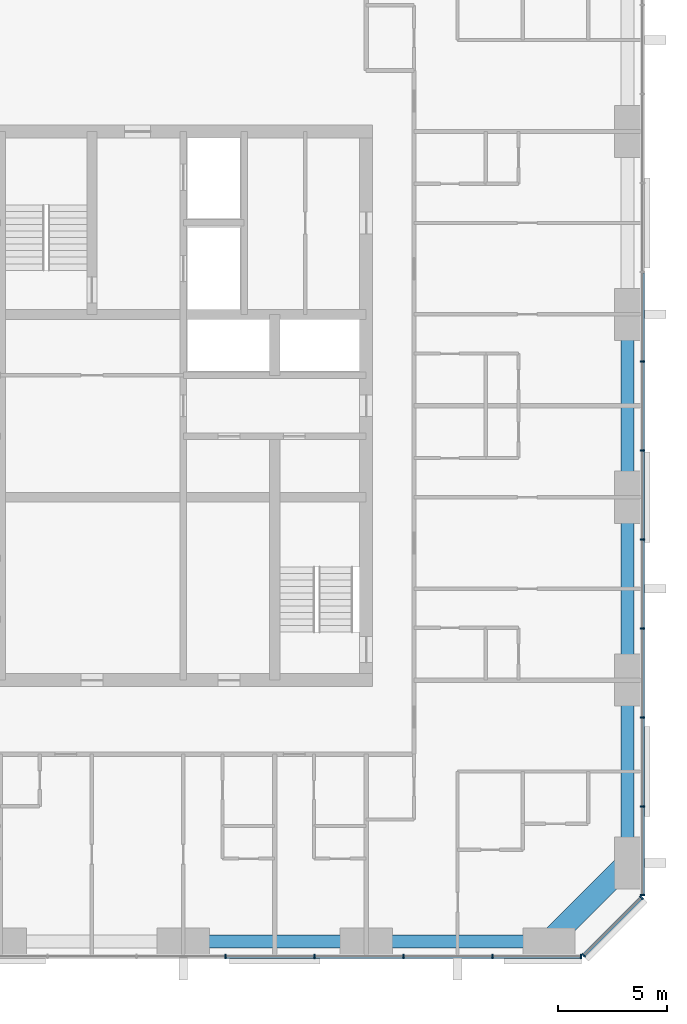
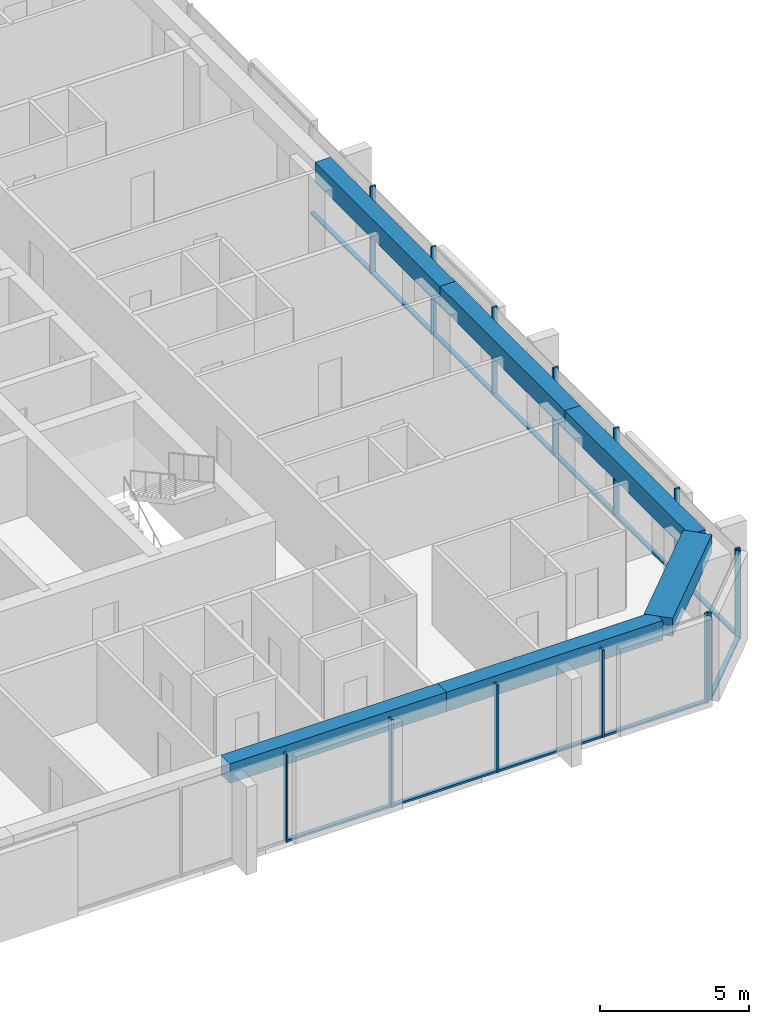
# One storey, part 4 of 14: 26 members, 6 beams, 3 elements without a shape of their own.
"""IFC4 building model written with IfcOpenShell, lengths in metres."""

from ifc_helpers import new_model, si_unit, direction, frame, origin, origin_2d, place, context, subcontext, project, spatial, rectangle, extrude, material, material_profile, profile_set, type_object, element, aggregate, save


model = new_model("IFC4")

# Units and contexts
model_context = context("Model", 3, precision=1e-05, world=origin(), true_north=direction((0.0, 1.0)))
body_context = subcontext(model_context, "Body", "Model", "MODEL_VIEW")
ifc_project = project(units=[si_unit("LENGTHUNIT", "METRE"), si_unit("AREAUNIT", "SQUARE_METRE"), si_unit("VOLUMEUNIT", "CUBIC_METRE"), si_unit("PLANEANGLEUNIT", "RADIAN"), si_unit("MASSUNIT", "GRAM", prefix="KILO")], contexts=[model_context])

# Site, building, storey
site_placement = place(None, origin())
site = spatial("IfcSite", under=ifc_project, at=site_placement, CompositionType="ELEMENT")
building_placement = place(site_placement, origin())
building = spatial("IfcBuilding", under=site, at=building_placement, Name="Dunama Terrace Hotel", CompositionType="ELEMENT")
storey_placement = place(building_placement, frame((0.0, 0.0, 202.199951171875)))
storey = spatial("IfcBuildingStorey", under=building, at=storey_placement, Name="L52", CompositionType="ELEMENT", Elevation=202.199951171875)

# Curtain wall, members
ifc_material_1 = material(Name="Aluminium curtain wall system", Category="aluminium")
curtain_wall_type = type_object("IfcCurtainWallType", Name="Unitised fritted glass wall CW-C", PredefinedType="NOTDEFINED", material=ifc_material_1)
curtain_wall_1_placement = place(storey_placement, origin())
curtain_wall_1 = element("IfcCurtainWall", 1, at=curtain_wall_1_placement, inside=storey, type_object=curtain_wall_type, Name="Unitised fritted glass wall CW-C L52", PredefinedType="NOTDEFINED")
ifc_material_2 = material(Name="Aluminium mullion", Category="aluminium")
ifc_material_profile_1 = material_profile(ifc_material_2, rectangle(XDim=0.070068359375, YDim=0.199951171875, at=origin_2d()), Name="CWC MULLION 70X200")
ifc_profile_set_1 = profile_set([ifc_material_profile_1], Name="Aluminium mullion")
member_type_1 = type_object("IfcMemberType", Name="CWC mullion 70x200", PredefinedType="MULLION", material=ifc_profile_set_1)
member_1_placement = place(storey_placement, frame((35.535888671875, 4.10009765625, 0.0), z_axis=(0.0, 0.0, 1.0), x_axis=(1.0, 0.0, 0.0)))
member_1 = element("IfcMember", 2, at=member_1_placement, type_object=member_type_1, Name="CWC mullion", PredefinedType="MULLION", context=body_context, shape_type="SweptSolid", body=[
    extrude(rectangle(XDim=0.070068359375, YDim=0.199951171875, at=origin_2d()), origin(), (0.0, 0.0, 1.0), 3.60009765625),
])
member_2_placement = place(storey_placement, frame((39.626953125, 4.10009765625, 0.0), z_axis=(0.0, 0.0, 1.0), x_axis=(1.0, 0.0, 0.0)))
member_2 = element("IfcMember", 3, at=member_2_placement, type_object=member_type_1, Name="CWC mullion", PredefinedType="MULLION", context=body_context, shape_type="SweptSolid", body=[
    extrude(rectangle(XDim=0.070068359375, YDim=0.199951171875, at=origin_2d()), origin(), (0.0, 0.0, 1.0), 3.60009765625),
])
member_3_placement = place(storey_placement, frame((43.718017578125, 4.10009765625, 0.0), z_axis=(0.0, 0.0, 1.0), x_axis=(1.0, 0.0, 0.0)))
member_3 = element("IfcMember", 4, at=member_3_placement, type_object=member_type_1, Name="CWC mullion", PredefinedType="MULLION", context=body_context, shape_type="SweptSolid", body=[
    extrude(rectangle(XDim=0.070068359375, YDim=0.199951171875, at=origin_2d()), origin(), (0.0, 0.0, 1.0), 3.60009765625),
])
member_4_placement = place(storey_placement, frame((47.80908203125, 4.10009765625, 0.0), z_axis=(0.0, 0.0, 1.0), x_axis=(1.0, 0.0, 0.0)))
member_4 = element("IfcMember", 5, at=member_4_placement, type_object=member_type_1, Name="CWC mullion", PredefinedType="MULLION", context=body_context, shape_type="SweptSolid", body=[
    extrude(rectangle(XDim=0.070068359375, YDim=0.199951171875, at=origin_2d()), origin(), (0.0, 0.0, 1.0), 3.60009765625),
])
member_5_placement = place(storey_placement, frame((51.864990234375, 4.10009765625, 0.0), z_axis=(0.0, 0.0, 1.0), x_axis=(1.0, 0.0, 0.0)))
member_5 = element("IfcMember", 6, at=member_5_placement, type_object=member_type_1, Name="CWC mullion", PredefinedType="MULLION", context=body_context, shape_type="SweptSolid", body=[
    extrude(rectangle(XDim=0.070068359375, YDim=0.199951171875, at=origin_2d()), origin(), (0.0, 0.0, 1.0), 3.60009765625),
])

curtain_wall_2_placement = place(storey_placement, origin())
curtain_wall_2 = element("IfcCurtainWall", 7, at=curtain_wall_2_placement, inside=storey, type_object=curtain_wall_type, Name="Unitised fritted glass wall CW-C L52", PredefinedType="NOTDEFINED")
member_6_placement = place(storey_placement, frame((51.9951171875, 4.154052734375, 0.0), z_axis=(0.0, 0.0, 1.0), x_axis=(0.707106781187, 0.707106781187, 0.0)))
member_6 = element("IfcMember", 8, at=member_6_placement, type_object=member_type_1, Name="CWC mullion", PredefinedType="MULLION", context=body_context, shape_type="SweptSolid", body=[
    extrude(rectangle(XDim=0.070068359375, YDim=0.199951171875, at=origin_2d()), origin(), (0.0, 0.0, 1.0), 3.60009765625),
])
member_7_placement = place(storey_placement, frame((54.64599609375, 6.804931640625, 0.0), z_axis=(0.0, 0.0, 1.0), x_axis=(0.707106781187, 0.707106781187, 0.0)))
member_7 = element("IfcMember", 9, at=member_7_placement, type_object=member_type_1, Name="CWC mullion", PredefinedType="MULLION", context=body_context, shape_type="SweptSolid", body=[
    extrude(rectangle(XDim=0.070068359375, YDim=0.199951171875, at=origin_2d()), origin(), (0.0, 0.0, 1.0), 3.60009765625),
])

curtain_wall_3_placement = place(storey_placement, origin())
curtain_wall_3 = element("IfcCurtainWall", 10, at=curtain_wall_3_placement, inside=storey, type_object=curtain_wall_type, Name="Unitised fritted glass wall CW-C L52", PredefinedType="NOTDEFINED")
member_8_placement = place(storey_placement, frame((54.699951171875, 6.93505859375, 0.0), z_axis=(0.0, 0.0, 1.0), x_axis=(0.0, 1.0, 0.0)))
member_8 = element("IfcMember", 11, at=member_8_placement, type_object=member_type_1, Name="CWC mullion", PredefinedType="MULLION", context=body_context, shape_type="SweptSolid", body=[
    extrude(rectangle(XDim=0.070068359375, YDim=0.199951171875, at=origin_2d()), origin(), (0.0, 0.0, 1.0), 3.60009765625),
])
member_9_placement = place(storey_placement, frame((54.699951171875, 10.990966796875, 0.0), z_axis=(0.0, 0.0, 1.0), x_axis=(0.0, 1.0, 0.0)))
member_9 = element("IfcMember", 12, at=member_9_placement, type_object=member_type_1, Name="CWC mullion", PredefinedType="MULLION", context=body_context, shape_type="SweptSolid", body=[
    extrude(rectangle(XDim=0.070068359375, YDim=0.199951171875, at=origin_2d()), origin(), (0.0, 0.0, 1.0), 3.60009765625),
])
member_10_placement = place(storey_placement, frame((54.699951171875, 15.08203125, 0.0), z_axis=(0.0, 0.0, 1.0), x_axis=(0.0, 1.0, 0.0)))
member_10 = element("IfcMember", 13, at=member_10_placement, type_object=member_type_1, Name="CWC mullion", PredefinedType="MULLION", context=body_context, shape_type="SweptSolid", body=[
    extrude(rectangle(XDim=0.070068359375, YDim=0.199951171875, at=origin_2d()), origin(), (0.0, 0.0, 1.0), 3.60009765625),
])
member_11_placement = place(storey_placement, frame((54.699951171875, 19.173095703125, 0.0), z_axis=(0.0, 0.0, 1.0), x_axis=(0.0, 1.0, 0.0)))
member_11 = element("IfcMember", 14, at=member_11_placement, type_object=member_type_1, Name="CWC mullion", PredefinedType="MULLION", context=body_context, shape_type="SweptSolid", body=[
    extrude(rectangle(XDim=0.070068359375, YDim=0.199951171875, at=origin_2d()), origin(), (0.0, 0.0, 1.0), 3.60009765625),
])
member_12_placement = place(storey_placement, frame((54.699951171875, 23.263916015625, 0.0), z_axis=(0.0, 0.0, 1.0), x_axis=(0.0, 1.0, 0.0)))
member_12 = element("IfcMember", 15, at=member_12_placement, type_object=member_type_1, Name="CWC mullion", PredefinedType="MULLION", context=body_context, shape_type="SweptSolid", body=[
    extrude(rectangle(XDim=0.070068359375, YDim=0.199951171875, at=origin_2d()), origin(), (0.0, 0.0, 1.0), 3.60009765625),
])
member_13_placement = place(storey_placement, frame((54.699951171875, 27.35498046875, 0.0), z_axis=(0.0, 0.0, 1.0), x_axis=(0.0, 1.0, 0.0)))
member_13 = element("IfcMember", 16, at=member_13_placement, type_object=member_type_1, Name="CWC mullion", PredefinedType="MULLION", context=body_context, shape_type="SweptSolid", body=[
    extrude(rectangle(XDim=0.070068359375, YDim=0.199951171875, at=origin_2d()), origin(), (0.0, 0.0, 1.0), 3.60009765625),
])
member_14_placement = place(storey_placement, frame((54.699951171875, 31.445068359375, 0.0), z_axis=(0.0, 0.0, 1.0), x_axis=(0.0, 1.0, 0.0)))
member_14 = element("IfcMember", 17, at=member_14_placement, type_object=member_type_1, Name="CWC mullion", PredefinedType="MULLION", context=body_context, shape_type="SweptSolid", body=[
    extrude(rectangle(XDim=0.070068359375, YDim=0.199951171875, at=origin_2d()), origin(), (0.0, 0.0, 1.0), 3.60009765625),
])

# Member
ifc_material_3 = material(Name="Aluminium transom", Category="aluminium")
ifc_material_profile_2 = material_profile(ifc_material_3, rectangle(XDim=0.159912109375, YDim=0.080078125, at=origin_2d()), Name="CWC TRANSOM 160X80")
ifc_profile_set_2 = profile_set([ifc_material_profile_2], Name="Aluminium transom")
member_type_2 = type_object("IfcMemberType", Name="CWC transom 160x80", PredefinedType="USERDEFINED", material=ifc_profile_set_2)
member_15_placement = place(storey_placement, frame((35.571044921875, 4.10009765625, 0.0400390625), z_axis=(1.0, 0.0, 0.0), x_axis=(0.0, 1.0, 0.0)))
member_15 = element("IfcMember", 18, at=member_15_placement, type_object=member_type_2, Name="CWC transom", ObjectType="TRANSOM", PredefinedType="USERDEFINED", context=body_context, shape_type="SweptSolid", body=[
    extrude(rectangle(XDim=0.159912109375, YDim=0.080078125, at=origin_2d()), origin(), (0.0, 0.0, 1.0), 4.02099609375),
])

member_16_placement = place(storey_placement, frame((39.662109375, 4.10009765625, 0.0400390625), z_axis=(1.0, 0.0, 0.0), x_axis=(0.0, 1.0, 0.0)))
member_16 = element("IfcMember", 19, at=member_16_placement, type_object=member_type_2, Name="CWC transom", ObjectType="TRANSOM", PredefinedType="USERDEFINED", context=body_context, shape_type="SweptSolid", body=[
    extrude(rectangle(XDim=0.159912109375, YDim=0.080078125, at=origin_2d()), origin(), (0.0, 0.0, 1.0), 4.02099609375),
])

member_17_placement = place(storey_placement, frame((43.7529296875, 4.10009765625, 0.0400390625), z_axis=(1.0, 0.0, 0.0), x_axis=(0.0, 1.0, 0.0)))
member_17 = element("IfcMember", 20, at=member_17_placement, type_object=member_type_2, Name="CWC transom", ObjectType="TRANSOM", PredefinedType="USERDEFINED", context=body_context, shape_type="SweptSolid", body=[
    extrude(rectangle(XDim=0.159912109375, YDim=0.080078125, at=origin_2d()), origin(), (0.0, 0.0, 1.0), 4.02099609375),
])

member_18_placement = place(storey_placement, frame((47.843994140625, 4.10009765625, 0.0400390625), z_axis=(1.0, 0.0, 0.0), x_axis=(0.0, 1.0, 0.0)))
member_18 = element("IfcMember", 21, at=member_18_placement, type_object=member_type_2, Name="CWC transom", ObjectType="TRANSOM", PredefinedType="USERDEFINED", context=body_context, shape_type="SweptSolid", body=[
    extrude(rectangle(XDim=0.159912109375, YDim=0.080078125, at=origin_2d()), origin(), (0.0, 0.0, 1.0), 3.986083984375),
])

aggregate(curtain_wall_1, [member_1, member_2, member_3, member_4, member_5, member_15, member_16, member_17, member_18])

member_19_placement = place(storey_placement, frame((52.02001953125, 4.178955078125, 0.0400390625), z_axis=(0.707106781187, 0.707106781187, 0.0), x_axis=(-0.707106781187, 0.707106781187, 0.0)))
member_19 = element("IfcMember", 22, at=member_19_placement, type_object=member_type_2, Name="CWC transom", ObjectType="TRANSOM", PredefinedType="USERDEFINED", context=body_context, shape_type="SweptSolid", body=[
    extrude(rectangle(XDim=0.159912109375, YDim=0.080078125, at=origin_2d()), origin(), (0.0, 0.0, 1.0), 3.678466796875),
])

aggregate(curtain_wall_2, [member_6, member_7, member_19])

member_20_placement = place(storey_placement, frame((54.699951171875, 6.969970703125, 0.0400390625), z_axis=(0.0, 1.0, 0.0), x_axis=(-1.0, 0.0, 0.0)))
member_20 = element("IfcMember", 23, at=member_20_placement, type_object=member_type_2, Name="CWC transom", ObjectType="TRANSOM", PredefinedType="USERDEFINED", context=body_context, shape_type="SweptSolid", body=[
    extrude(rectangle(XDim=0.159912109375, YDim=0.080078125, at=origin_2d()), origin(), (0.0, 0.0, 1.0), 3.986083984375),
])

member_21_placement = place(storey_placement, frame((54.699951171875, 11.02587890625, 0.0400390625), z_axis=(0.0, 1.0, 0.0), x_axis=(-1.0, 0.0, 0.0)))
member_21 = element("IfcMember", 24, at=member_21_placement, type_object=member_type_2, Name="CWC transom", ObjectType="TRANSOM", PredefinedType="USERDEFINED", context=body_context, shape_type="SweptSolid", body=[
    extrude(rectangle(XDim=0.159912109375, YDim=0.080078125, at=origin_2d()), origin(), (0.0, 0.0, 1.0), 4.021240234375),
])

member_22_placement = place(storey_placement, frame((54.699951171875, 15.116943359375, 0.0400390625), z_axis=(0.0, 1.0, 0.0), x_axis=(-1.0, 0.0, 0.0)))
member_22 = element("IfcMember", 25, at=member_22_placement, type_object=member_type_2, Name="CWC transom", ObjectType="TRANSOM", PredefinedType="USERDEFINED", context=body_context, shape_type="SweptSolid", body=[
    extrude(rectangle(XDim=0.159912109375, YDim=0.080078125, at=origin_2d()), origin(), (0.0, 0.0, 1.0), 4.02099609375),
])

member_23_placement = place(storey_placement, frame((54.699951171875, 19.2080078125, 0.0400390625), z_axis=(0.0, 1.0, 0.0), x_axis=(-1.0, 0.0, 0.0)))
member_23 = element("IfcMember", 26, at=member_23_placement, type_object=member_type_2, Name="CWC transom", ObjectType="TRANSOM", PredefinedType="USERDEFINED", context=body_context, shape_type="SweptSolid", body=[
    extrude(rectangle(XDim=0.159912109375, YDim=0.080078125, at=origin_2d()), origin(), (0.0, 0.0, 1.0), 4.02099609375),
])

member_24_placement = place(storey_placement, frame((54.699951171875, 23.299072265625, 0.0400390625), z_axis=(0.0, 1.0, 0.0), x_axis=(-1.0, 0.0, 0.0)))
member_24 = element("IfcMember", 27, at=member_24_placement, type_object=member_type_2, Name="CWC transom", ObjectType="TRANSOM", PredefinedType="USERDEFINED", context=body_context, shape_type="SweptSolid", body=[
    extrude(rectangle(XDim=0.159912109375, YDim=0.080078125, at=origin_2d()), origin(), (0.0, 0.0, 1.0), 4.02099609375),
])

member_25_placement = place(storey_placement, frame((54.699951171875, 27.389892578125, 0.0400390625), z_axis=(0.0, 1.0, 0.0), x_axis=(-1.0, 0.0, 0.0)))
member_25 = element("IfcMember", 28, at=member_25_placement, type_object=member_type_2, Name="CWC transom", ObjectType="TRANSOM", PredefinedType="USERDEFINED", context=body_context, shape_type="SweptSolid", body=[
    extrude(rectangle(XDim=0.159912109375, YDim=0.080078125, at=origin_2d()), origin(), (0.0, 0.0, 1.0), 4.02001953125),
])

member_26_placement = place(storey_placement, frame((54.699951171875, 31.47998046875, 0.0400390625), z_axis=(0.0, 1.0, 0.0), x_axis=(-1.0, 0.0, 0.0)))
member_26 = element("IfcMember", 29, at=member_26_placement, type_object=member_type_2, Name="CWC transom", ObjectType="TRANSOM", PredefinedType="USERDEFINED", context=body_context, shape_type="SweptSolid", body=[
    extrude(rectangle(XDim=0.159912109375, YDim=0.080078125, at=origin_2d()), origin(), (0.0, 0.0, 1.0), 4.02099609375),
])

aggregate(curtain_wall_3, [member_8, member_9, member_10, member_11, member_12, member_13, member_14, member_20, member_21, member_22, member_23, member_24, member_25, member_26])

# Beams
ifc_material_4 = material(Name="Concrete C50/60", Category="concrete")
ifc_material_profile_3 = material_profile(ifc_material_4, rectangle(XDim=1.0, YDim=0.75, at=origin_2d()), Name="RC 1000x750")
ifc_profile_set_3 = profile_set([ifc_material_profile_3], Name="Concrete C50/60")
beam_type_1 = type_object("IfcBeamType", Name="Edge beam RC 1000x750", PredefinedType="SPANDREL", material=ifc_profile_set_3)
beam_1_placement = place(storey_placement, frame((50.39990234375, 4.800048828125, 3.22509765625), z_axis=(0.707130757816, 0.707082803744, 0.0), x_axis=(-0.707082803744, 0.707130757816, 0.0)))
element("IfcBeam", 30, at=beam_1_placement, inside=storey, type_object=beam_type_1, Name="Corner edge beam under L53", PredefinedType="SPANDREL", context=body_context, shape_type="SweptSolid", body=[
    extrude(rectangle(XDim=1.0, YDim=0.75, at=origin_2d()), origin(), (0.0, 0.0, 1.0), 5.091064453125),
])
ifc_material_5 = material(Name="Concrete C40/50", Category="concrete")
ifc_material_profile_4 = material_profile(ifc_material_5, rectangle(XDim=0.60009765625, YDim=0.800048828125, at=origin_2d()), Name="RC 600x800")
ifc_profile_set_4 = profile_set([ifc_material_profile_4], Name="Concrete C40/50")
beam_type_2 = type_object("IfcBeamType", Name="Edge beam RC 600x800", PredefinedType="SPANDREL", material=ifc_profile_set_4)
beam_2_placement = place(storey_placement, frame((54.0, 8.39990234375, 3.199951171875), z_axis=(0.0, 1.0, 0.0), x_axis=(-1.0, 0.0, 0.0)))
element("IfcBeam", 31, at=beam_2_placement, inside=storey, type_object=beam_type_2, Name="Edge beam under L53", PredefinedType="SPANDREL", context=body_context, shape_type="SweptSolid", body=[
    extrude(rectangle(XDim=0.60009765625, YDim=0.800048828125, at=origin_2d()), origin(), (0.0, 0.0, 1.0), 8.400146484375),
])
beam_3_placement = place(storey_placement, frame((54.0, 16.800048828125, 3.199951171875), z_axis=(0.0, 1.0, 0.0), x_axis=(-1.0, 0.0, 0.0)))
element("IfcBeam", 32, at=beam_3_placement, inside=storey, type_object=beam_type_2, Name="Edge beam under L53", PredefinedType="SPANDREL", context=body_context, shape_type="SweptSolid", body=[
    extrude(rectangle(XDim=0.60009765625, YDim=0.800048828125, at=origin_2d()), origin(), (0.0, 0.0, 1.0), 8.39990234375),
])
beam_4_placement = place(storey_placement, frame((54.0, 25.199951171875, 3.199951171875), z_axis=(0.0, 1.0, 0.0), x_axis=(-1.0, 0.0, 0.0)))
element("IfcBeam", 33, at=beam_4_placement, inside=storey, type_object=beam_type_2, Name="Edge beam under L53", PredefinedType="SPANDREL", context=body_context, shape_type="SweptSolid", body=[
    extrude(rectangle(XDim=0.60009765625, YDim=0.800048828125, at=origin_2d()), origin(), (0.0, 0.0, 1.0), 8.400146484375),
])
for number, where, z_axis, x_axis, name in (
    (34, (33.60009765625, 4.800048828125, 3.199951171875), (1.0, 0.0, 0.0), (0.0, 1.0, 0.0), "Edge beam under L53"),
    (35, (42.0, 4.800048828125, 3.199951171875), (1.0, 0.0, 0.0), (0.0, 1.0, 0.0), "Edge beam under L53"),
):
    element("IfcBeam", number, at=place(storey_placement, frame(where, z_axis=z_axis, x_axis=x_axis)), inside=storey, type_object=beam_type_2, Name=name, PredefinedType="SPANDREL", context=body_context, shape_type="SweptSolid", body=[
        extrude(rectangle(XDim=0.60009765625, YDim=0.800048828125, at=origin_2d()), origin(), (0.0, 0.0, 1.0), 8.39990234375),
    ])

save(model, "model.ifc")
